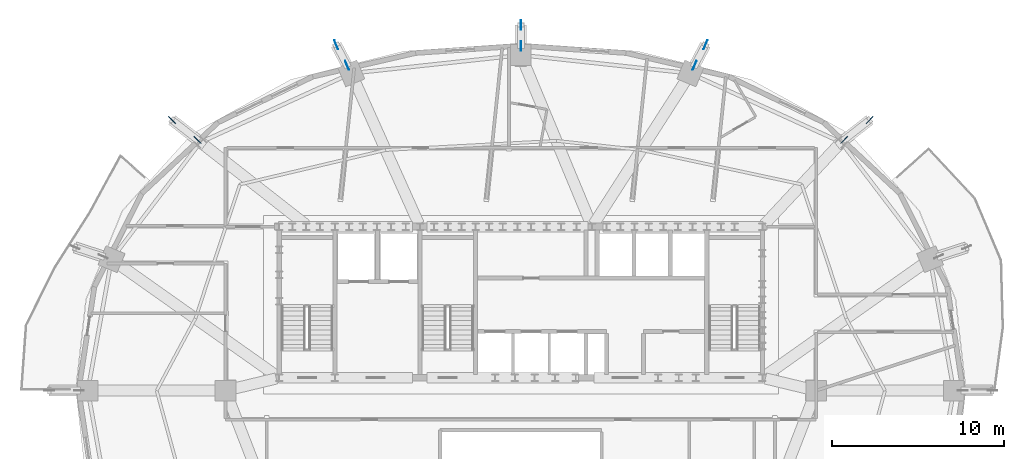
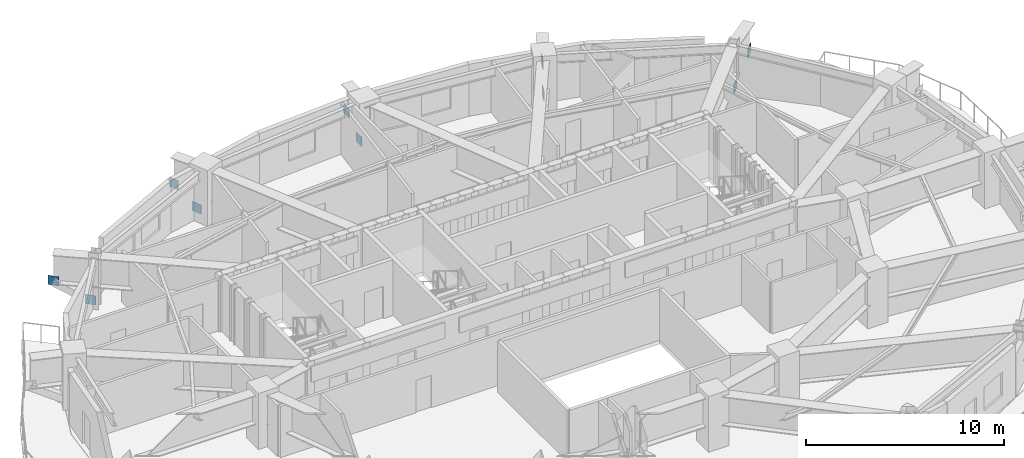
# One storey, part 6 of 14: 10 plates.
"""IFC4 building model written with IfcOpenShell, lengths in metres."""

from ifc_helpers import new_model, si_unit, direction, frame, origin, origin_2d, place, context, subcontext, project, spatial, rectangle, extrude, material, layer, layer_set, type_object, element, save


model = new_model("IFC4")

# Units and contexts
model_context = context("Model", 3, precision=1e-05, world=origin(), true_north=direction((0.0, 1.0)))
body_context = subcontext(model_context, "Body", "Model", "MODEL_VIEW")
ifc_project = project(units=[si_unit("LENGTHUNIT", "METRE"), si_unit("AREAUNIT", "SQUARE_METRE"), si_unit("VOLUMEUNIT", "CUBIC_METRE"), si_unit("PLANEANGLEUNIT", "RADIAN"), si_unit("MASSUNIT", "GRAM", prefix="KILO")], contexts=[model_context])

# Site, building, storey
site_placement = place(None, origin())
site = spatial("IfcSite", under=ifc_project, at=site_placement, CompositionType="ELEMENT")
building_placement = place(site_placement, origin())
building = spatial("IfcBuilding", under=site, at=building_placement, Name="Haldorwick Loom Tower", CompositionType="ELEMENT")
storey_placement = place(building_placement, frame((0.0, 0.0, 182.050048828125)))
storey = spatial("IfcBuildingStorey", under=building, at=storey_placement, Name="L49", CompositionType="ELEMENT", Elevation=182.050048828125)

# Plates
ifc_material = material(Name="Steel CSA G40.21 350W", Category="steel")
ifc_layer = layer(ifc_material, 0.028076171875, Name="Steel CSA G40.21 350W", Category="steel")
ifc_layer_set = layer_set([ifc_layer], Name="Steel CSA G40.21 350W")
plate_type = type_object("IfcPlateType", Name="STR-PLT-GUS28", PredefinedType="SHEET", material=ifc_layer_set)
for number, where, z_axis, x_axis, name in (
    (1, (54.832763671875, 40.602783203125, 0.119873046875), (0.0, 0.0, 1.0), (0.707106781187, 0.707106781187, 0.0), "L49 Truss Node Gusset Plate PLT-L49-FGUS-02B"),
    (2, (56.317626953125, 41.764892578125, 1.10986328125), (0.0, 0.0, 1.0), (0.707106781187, 0.707106781187, 0.0), "L49 Truss Node Gusset Plate PLT-L49-FGUS-02T"),
    (3, (46.116455078125, 44.937255859375, 0.119873046875), (0.0, 0.0, 1.0), (0.382683432365, 0.923879532511, 0.0), "L49 Truss Node Gusset Plate PLT-L49-FGUS-03B"),
    (4, (46.75341796875, 46.140625, 1.10986328125), (0.0, 0.0, 1.0), (0.382683432365, 0.923879532511, 0.0), "L49 Truss Node Gusset Plate PLT-L49-FGUS-03T"),
    (5, (36.0, 46.064697265625, 0.119873046875), (0.0, 0.0, 1.0), (0.0, 1.0, 0.0), "L49 Truss Node Gusset Plate PLT-L49-FGUS-04B"),
    (6, (36.0, 47.304931640625, 1.10986328125), (0.0, 0.0, 1.0), (0.0, 1.0, 0.0), "L49 Truss Node Gusset Plate PLT-L49-FGUS-04T"),
    (7, (25.883544921875, 44.937255859375, 0.119873046875), (0.0, 0.0, 1.0), (-0.382683432365, 0.923879532511, 0.0), "L49 Truss Node Gusset Plate PLT-L49-FGUS-05B"),
    (8, (25.24658203125, 46.140625, 1.10986328125), (0.0, 0.0, 1.0), (-0.382683432365, 0.923879532511, 0.0), "L49 Truss Node Gusset Plate PLT-L49-FGUS-05T"),
    (9, (17.167236328125, 40.602783203125, 0.119873046875), (0.0, 0.0, 1.0), (-0.707106781187, 0.707106781187, 0.0), "L49 Truss Node Gusset Plate PLT-L49-FGUS-06B"),
    (10, (15.682373046875, 41.764892578125, 1.10986328125), (0.0, 0.0, 1.0), (-0.707106781187, 0.707106781187, 0.0), "L49 Truss Node Gusset Plate PLT-L49-FGUS-06T"),
):
    element("IfcPlate", number, at=place(storey_placement, frame(where, z_axis=z_axis, x_axis=x_axis)), inside=storey, type_object=plate_type, Name=name, PredefinedType="SHEET", context=body_context, shape_type="SweptSolid", body=[
        extrude(rectangle(XDim=0.56005859375, YDim=0.028076171875, at=origin_2d()), origin(), (0.0, 0.0, 1.0), 0.56005859375),
    ])

save(model, "model.ifc")
